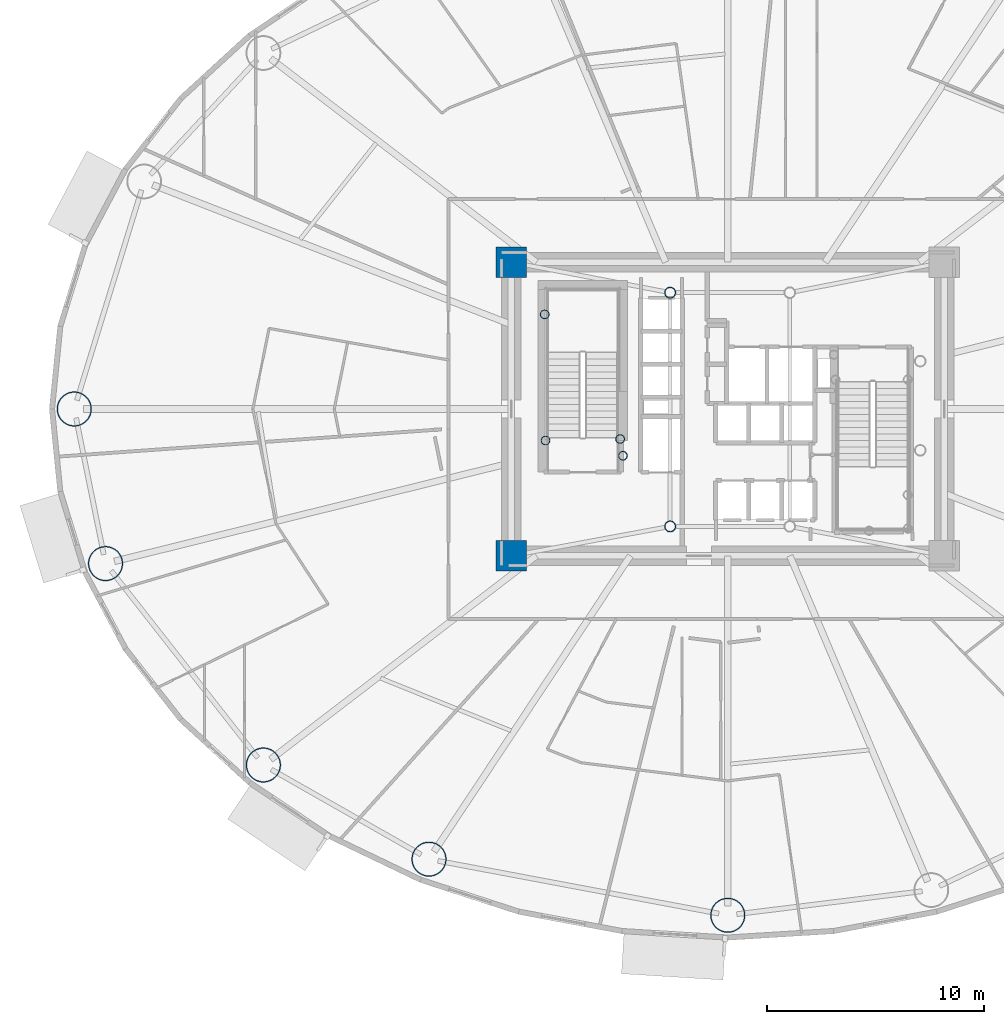
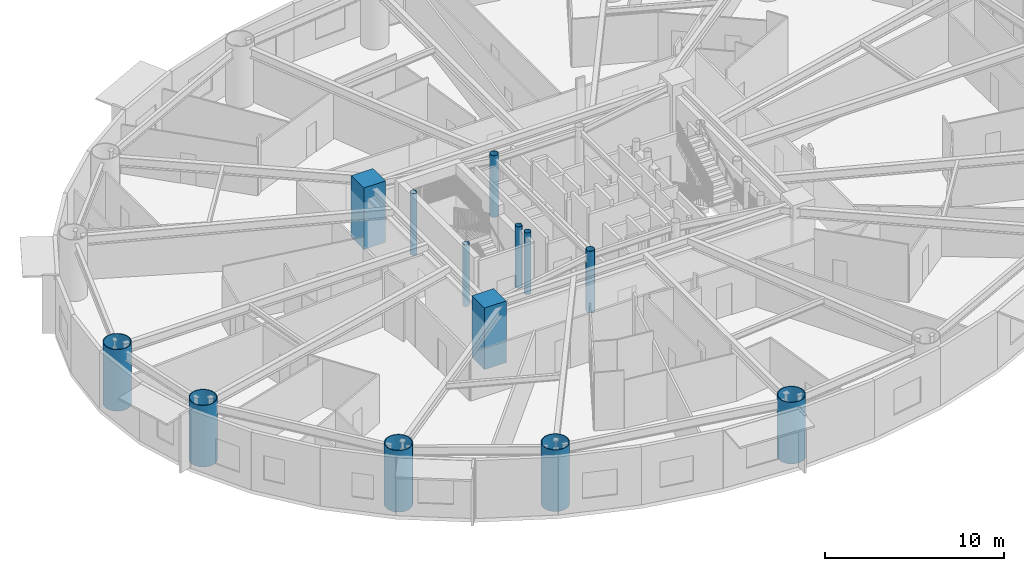
# One storey, part 1 of 21: 13 columns.
"""IFC4 building model written with IfcOpenShell, lengths in metres."""

from ifc_helpers import new_model, si_unit, direction, frame, origin, origin_2d, place, context, subcontext, project, spatial, rectangle, hollow_circle, extrude, material, material_profile, profile_set, type_object, element, save


model = new_model("IFC4")

# Units and contexts
model_context = context("Model", 3, precision=1e-05, world=origin(), true_north=direction((0.0, 1.0)))
body_context = subcontext(model_context, "Body", "Model", "MODEL_VIEW")
ifc_project = project(units=[si_unit("LENGTHUNIT", "METRE"), si_unit("AREAUNIT", "SQUARE_METRE"), si_unit("VOLUMEUNIT", "CUBIC_METRE"), si_unit("PLANEANGLEUNIT", "RADIAN"), si_unit("MASSUNIT", "GRAM", prefix="KILO")], contexts=[model_context])

# Site, building, storey
site_placement = place(None, origin())
site = spatial("IfcSite", under=ifc_project, at=site_placement, CompositionType="ELEMENT")
building_placement = place(site_placement, origin())
building = spatial("IfcBuilding", under=site, at=building_placement, Name="Linh Dai School and Residence Tower", CompositionType="ELEMENT")
storey_placement = place(building_placement, frame((0.0, 0.0, 61.800048828125)))
storey = spatial("IfcBuildingStorey", under=building, at=storey_placement, Name="L14", CompositionType="ELEMENT", Elevation=61.800048828125)

# Columns
ifc_material_1 = material(Name="Concrete B60 (C50/60)", Category="concrete")
ifc_material_profile_1 = material_profile(ifc_material_1, rectangle(XDim=1.39990234375, YDim=1.39990234375, at=origin_2d()), Name="RC 1400x1400")
ifc_profile_set_1 = profile_set([ifc_material_profile_1], Name="Concrete B60 (C50/60)")
column_type_1 = type_object("IfcColumnType", Name="COL-CC1", PredefinedType="COLUMN", material=ifc_profile_set_1)
for number, where, z_axis, x_axis, name in (
    (1, (26.050048828125, 20.25, 0.0), (0.0, 0.0, 1.0), (1.0, 0.0, 0.0), "L14 Core Corner Pier CC1"),
    (2, (26.050048828125, 33.75, 0.0), (0.0, 0.0, 1.0), (1.0, 0.0, 0.0), "L14 Core Corner Pier CC4"),
):
    element("IfcColumn", number, at=place(storey_placement, frame(where, z_axis=z_axis, x_axis=x_axis)), inside=storey, type_object=column_type_1, Name=name, PredefinedType="COLUMN", context=body_context, shape_type="SweptSolid", body=[
        extrude(rectangle(XDim=1.39990234375, YDim=1.39990234375, at=origin_2d()), origin(), (0.0, 0.0, 1.0), 4.199951171875),
    ])
ifc_material_2 = material(Name="Structural Steel S355JR", Category="steel")
ifc_material_profile_2 = material_profile(ifc_material_2, hollow_circle(Radius=0.203125, WallThickness=0.01611328125, at=origin_2d()), Name="CHS 406.4x16")
ifc_profile_set_2 = profile_set([ifc_material_profile_2], Name="Structural Steel S355JR")
column_type_2 = type_object("IfcColumnType", Name="COL-EC", PredefinedType="COLUMN", material=ifc_profile_set_2)
for number, where, z_axis, x_axis, name in (
    (3, (27.580078125, 31.35009765625, 0.0), (0.0, 0.0, 1.0), (1.0, 0.0, 0.0), "L14 Stair Shaft Landing Support Pier ST1NW"),
    (4, (31.050048828125, 25.6201171875, 0.0), (0.0, 0.0, 1.0), (1.0, 0.0, 0.0), "L14 Stair Shaft Landing Support Pier ST1SE"),
    (5, (31.179931640625, 24.85009765625, 0.0), (0.0, 0.0, 1.0), (1.0, 0.0, 0.0), "L14 Stair Shaft Landing Support Pier ST1SM"),
    (6, (27.6201171875, 25.550048828125, 0.0), (0.0, 0.0, 1.0), (1.0, 0.0, 0.0), "L14 Stair Shaft Landing Support Pier ST1SW"),
):
    element("IfcColumn", number, at=place(storey_placement, frame(where, z_axis=z_axis, x_axis=x_axis)), inside=storey, type_object=column_type_2, Name=name, PredefinedType="COLUMN", context=body_context, shape_type="SweptSolid", body=[
        extrude(hollow_circle(Radius=0.203125, WallThickness=0.01611328125, at=origin_2d()), origin(), (0.0, 0.0, 1.0), 4.199951171875),
    ])
ifc_material_profile_3 = material_profile(ifc_material_2, hollow_circle(Radius=0.800048828125, WallThickness=0.044921875, at=origin_2d()), Name="CHS 1600x45")
ifc_profile_set_3 = profile_set([ifc_material_profile_3], Name="Structural Steel S355JR")
column_type_3 = type_object("IfcColumnType", Name="COL-MC2", PredefinedType="COLUMN", material=ifc_profile_set_3)
for number, where, z_axis, x_axis, name in (
    (7, (5.949951171875, 27.0, 0.0), (0.0, 0.0, 1.0), (1.0, 0.0, 0.0), "L14 Perimeter CFT Mega-Column MC09"),
    (8, (7.38916015625, 19.891357421875, 0.0), (0.0, 0.0, 1.0), (1.0, 0.0, 0.0), "L14 Perimeter CFT Mega-Column MC10"),
    (9, (14.647216796875, 10.630859375, 0.0), (0.0, 0.0, 1.0), (1.0, 0.0, 0.0), "L14 Perimeter CFT Mega-Column MC11"),
    (10, (22.26171875, 6.30078125, 0.0), (0.0, 0.0, 1.0), (1.0, 0.0, 0.0), "L14 Perimeter CFT Mega-Column MC12"),
    (11, (36.0, 3.719970703125, 0.0), (0.0, 0.0, 1.0), (1.0, 0.0, 0.0), "L14 Perimeter CFT Mega-Column MC13"),
):
    element("IfcColumn", number, at=place(storey_placement, frame(where, z_axis=z_axis, x_axis=x_axis)), inside=storey, type_object=column_type_3, Name=name, PredefinedType="COLUMN", context=body_context, shape_type="SweptSolid", body=[
        extrude(hollow_circle(Radius=0.800048828125, WallThickness=0.044921875, at=origin_2d()), origin(), (0.0, 0.0, 1.0), 4.199951171875),
    ])
ifc_material_profile_4 = material_profile(ifc_material_2, hollow_circle(Radius=0.25390625, WallThickness=0.02001953125, at=origin_2d()), Name="CHS 508x20")
ifc_profile_set_4 = profile_set([ifc_material_profile_4], Name="Structural Steel S355JR")
column_type_4 = type_object("IfcColumnType", Name="COL-MCP", PredefinedType="COLUMN", material=ifc_profile_set_4)
for number, where, z_axis, x_axis, name in (
    (12, (33.35009765625, 21.60009765625, 0.0), (0.0, 0.0, 1.0), (1.0, 0.0, 0.0), "L14 Core Mast Support Pier MCP1"),
    (13, (33.35009765625, 32.35009765625, 0.0), (0.0, 0.0, 1.0), (1.0, 0.0, 0.0), "L14 Core Mast Support Pier MCP4"),
):
    element("IfcColumn", number, at=place(storey_placement, frame(where, z_axis=z_axis, x_axis=x_axis)), inside=storey, type_object=column_type_4, Name=name, PredefinedType="COLUMN", context=body_context, shape_type="SweptSolid", body=[
        extrude(hollow_circle(Radius=0.25390625, WallThickness=0.02001953125, at=origin_2d()), origin(), (0.0, 0.0, 1.0), 4.199951171875),
    ])

save(model, "model.ifc")
